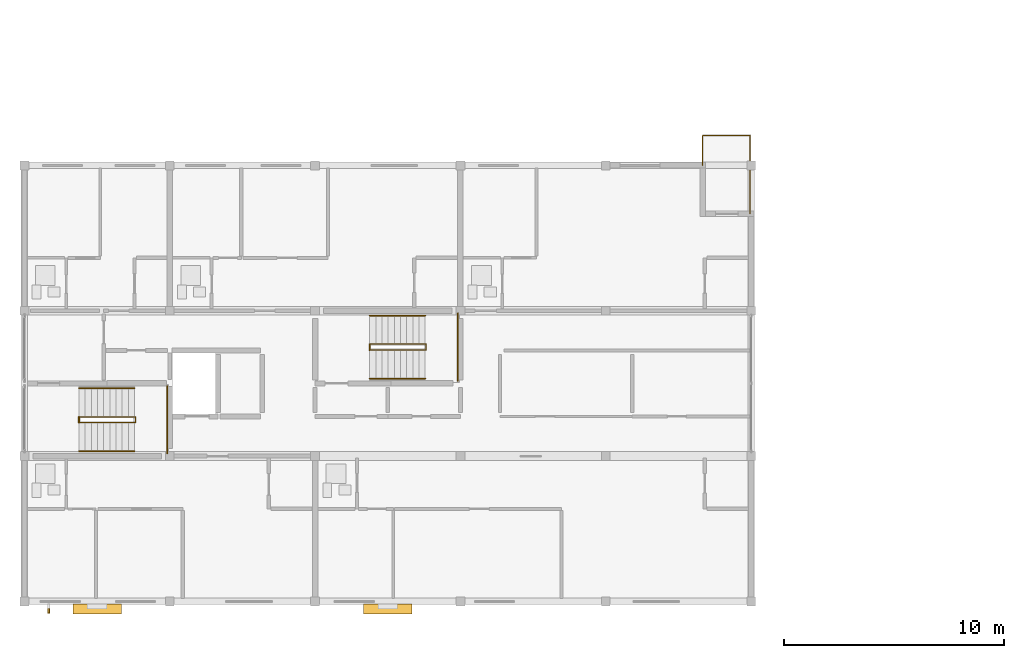
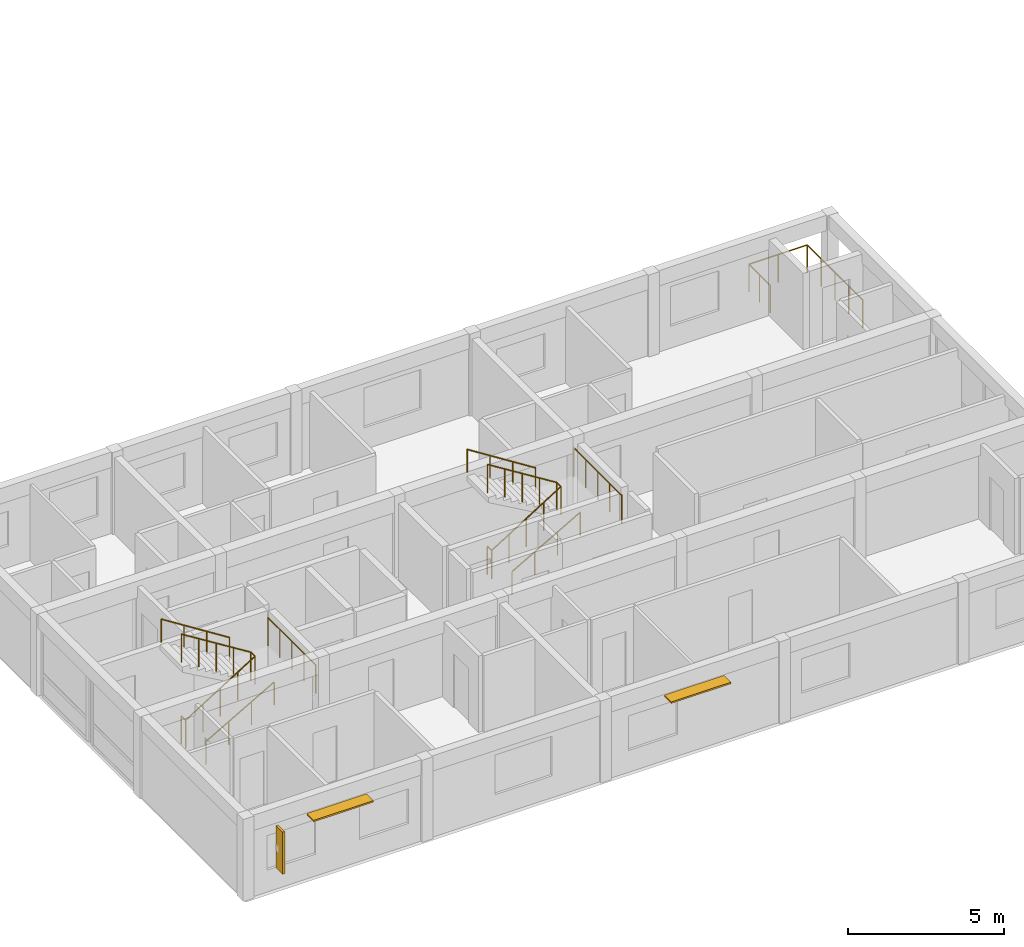
# One storey, part 13 of 15: 11 railings, 3 shading devices.
"""IFC4 building model written with IfcOpenShell, lengths in metres."""

import ifcopenshell
import ifcopenshell.guid

model = None  # the IFC model being written
_history = None  # IfcOwnerHistory: only IFC2X3 demands one
_inside = {}  # id of a spatial element -> (the spatial element, [elements in it])
_under = {}  # id of a project, library or spatial element -> (it, [spatial elements below it])
_declared = {}  # id of a project -> (the project, [libraries it declares])
_typed = {}  # id of a type object -> (the type object, [elements of that type])
_made_of = {}  # id of a material, layer set ... -> (it, [elements and type objects made of it])


def new_model(schema):
    """Start an empty IFC model of exactly this schema.

    Asked for "IFC4X3", IfcOpenShell would pick the latest addendum, in which some entities
    have other attributes; the version numbers below select the first issue.
    IFC2X3 requires an IfcOwnerHistory on every rooted entity: one is made here for all.
    """
    global model, _history
    if schema == "IFC4X3":
        model = ifcopenshell.file(schema_version=(4, 3, 0, 0))
    else:
        model = ifcopenshell.file(schema=schema)
    _inside.clear()
    _under.clear()
    _declared.clear()
    _typed.clear()
    _made_of.clear()
    _history = None
    if model.schema == "IFC2X3":
        org = make("IfcOrganization", Name="unknown")
        user = make(
            "IfcPersonAndOrganization",
            ThePerson=make("IfcPerson", FamilyName="unknown"),
            TheOrganization=org,
        )
        app = make(
            "IfcApplication",
            ApplicationDeveloper=org,
            Version="unknown",
            ApplicationFullName="unknown",
            ApplicationIdentifier="unknown",
        )
        _history = make(
            "IfcOwnerHistory",
            OwningUser=user,
            OwningApplication=app,
            ChangeAction="ADDED",
            CreationDate=0,
        )
    return model


def make(cls, **values):
    """One entity of the class cls with the attributes given. An attribute that is None is left unset."""
    return model.create_entity(
        cls, **{name: value for name, value in values.items() if value is not None}
    )


def rooted(cls, **values):
    """An entity with a GlobalId (a new one), such as an element, a storey or a relation."""
    return make(cls, GlobalId=ifcopenshell.guid.new(), OwnerHistory=_history, **values)


def si_unit(unit_type, name, prefix=None):
    """IfcSIUnit, for example si_unit("LENGTHUNIT", "METRE", prefix="MILLI")."""
    return make("IfcSIUnit", UnitType=unit_type, Prefix=prefix, Name=name)


def assignment(units):
    """IfcUnitAssignment: the units of a project."""
    return None if units is None else make("IfcUnitAssignment", Units=units)


def point(xyz):
    """IfcCartesianPoint."""
    return None if xyz is None else make("IfcCartesianPoint", Coordinates=xyz)


def direction(xyz):
    """IfcDirection."""
    return None if xyz is None else make("IfcDirection", DirectionRatios=xyz)


def frame(location, z_axis=None, x_axis=None):
    """IfcAxis2Placement3D, a coordinate frame: its origin and axes. An axis left out is left unset."""
    return make(
        "IfcAxis2Placement3D",
        Location=point(location),
        Axis=direction(z_axis),
        RefDirection=direction(x_axis),
    )


def frame_2d(location, x_axis=None):
    """IfcAxis2Placement2D, a coordinate frame in the plane: its origin and x axis."""
    return make(
        "IfcAxis2Placement2D", Location=point(location), RefDirection=direction(x_axis)
    )


def origin():
    """The frame at (0, 0, 0) with its axes left unset."""
    return frame((0.0, 0.0, 0.0))


def origin_2d():
    """The frame at (0, 0) in the plane with its x axis left unset."""
    return frame_2d((0.0, 0.0))


def place(relative_to, where):
    """IfcLocalPlacement: puts the frame where relative to a parent placement (None: the world)."""
    return make(
        "IfcLocalPlacement", PlacementRelTo=relative_to, RelativePlacement=where
    )


def context(
    kind, dimensions, precision=None, world=None, true_north=None, identifier=None
):
    """IfcGeometricRepresentationContext, for example the 3D "Model" context."""
    return make(
        "IfcGeometricRepresentationContext",
        ContextIdentifier=identifier,
        ContextType=kind,
        CoordinateSpaceDimension=dimensions,
        Precision=precision,
        WorldCoordinateSystem=world,
        TrueNorth=true_north,
    )


def subcontext(parent, identifier, kind, view, scale=None):
    """IfcGeometricRepresentationSubContext, for example "Body" below "Model"."""
    return make(
        "IfcGeometricRepresentationSubContext",
        ContextIdentifier=identifier,
        ContextType=kind,
        ParentContext=parent,
        TargetScale=scale,
        TargetView=view,
    )


def project(units=None, contexts=None):
    """IfcProject with its units and contexts."""
    return rooted(
        "IfcProject",
        Name="project",
        RepresentationContexts=contexts,
        UnitsInContext=assignment(units),
    )


def spatial(cls, under=None, at=None, **own):
    """A site, building, storey or space (cls), placed at a placement, below another one or the project."""
    s = rooted(cls, ObjectPlacement=at, **own)
    if under is not None:
        _under.setdefault(under.id(), (under, []))[1].append(s)
    return s


def profile(cls, at=None, kind="AREA", **sizes):
    """A parametric profile (cls). Its sizes go by their IFC names, for example OverallWidth=200.0."""
    return make(cls, ProfileType=kind, Position=at, **sizes)


def rectangle(**sizes):
    """IfcRectangleProfileDef."""
    return profile("IfcRectangleProfileDef", **sizes)


def circle(**sizes):
    """IfcCircleProfileDef."""
    return profile("IfcCircleProfileDef", **sizes)


def extrude(swept, where, along, depth):
    """IfcExtrudedAreaSolid: the profile swept, set in the frame where, extruded along a direction by depth."""
    return make(
        "IfcExtrudedAreaSolid",
        SweptArea=swept,
        Position=where,
        ExtrudedDirection=direction(along),
        Depth=depth,
    )


def shape(context_of_items, identifier, shape_type, items):
    """IfcShapeRepresentation: the items that make up one representation, for example the "Body"."""
    return make(
        "IfcShapeRepresentation",
        ContextOfItems=context_of_items,
        RepresentationIdentifier=identifier,
        RepresentationType=shape_type,
        Items=items,
    )


def material(Name=None, Category=None):
    """IfcMaterial."""
    return make("IfcMaterial", Name=Name, Category=Category)


def layer(
    of_material, thickness, ventilated=None, Name=None, Category=None, Priority=None
):
    """IfcMaterialLayer: one layer of a wall or slab, of a material (None: an air gap)."""
    return make(
        "IfcMaterialLayer",
        Material=of_material,
        LayerThickness=thickness,
        IsVentilated=ventilated,
        Name=Name,
        Category=Category,
        Priority=Priority,
    )


def layer_set(layers, Name=None):
    """IfcMaterialLayerSet."""
    return make("IfcMaterialLayerSet", MaterialLayers=layers, LayerSetName=Name)


def made_of(thing, what):
    """Note that an element or type object is made of a material, layer set ...; save() writes the relation."""
    if what is not None:
        _made_of.setdefault(what.id(), (what, []))[1].append(thing)
    return thing


def type_object(cls, material=None, **own):
    """A type object (cls), such as IfcWallType, which elements share."""
    return made_of(rooted(cls, **own), material)


def element(
    cls,
    number,
    at=None,
    inside=None,
    cuts=None,
    type_object=None,
    material=None,
    context=None,
    identifier="Body",
    shape_type=None,
    held_by="IfcProductDefinitionShape",
    body=None,
    shapes=None,
    **own,
):
    """One element of the class cls, such as IfcWall. Its Tag is "e" and its number.

    at: its placement. inside: the storey or other place that contains it. cuts: it is an
    opening in that element (IfcRelVoidsElement). A single representation is given by context,
    identifier, shape_type and body (its items); several are given by shapes. held_by: the class
    of the entity that holds the representations. save() writes the other relations.
    """
    e = rooted(cls, Tag="e%d" % number, ObjectPlacement=at, **own)
    if body is not None:
        shapes = [shape(context, identifier, shape_type, body)]
    if shapes is not None:
        e.Representation = make(held_by, Representations=shapes)
    if inside is not None:
        _inside.setdefault(inside.id(), (inside, []))[1].append(e)
    if cuts is not None:
        rooted(
            "IfcRelVoidsElement", RelatingBuildingElement=cuts, RelatedOpeningElement=e
        )
    if type_object is not None:
        _typed.setdefault(type_object.id(), (type_object, []))[1].append(e)
    return made_of(e, material)


def aggregate(whole, parts):
    """IfcRelAggregates: a whole, such as a stair, and the parts it consists of."""
    return rooted("IfcRelAggregates", RelatingObject=whole, RelatedObjects=parts)


def save(model, path):
    """Write the relations noted so far, then the file.

    IfcRelAggregates (storeys below a building ...), IfcRelContainedInSpatialStructure (elements
    in a storey), IfcRelDefinesByType, IfcRelAssociatesMaterial and IfcRelDeclares: one each for
    every whole, place, type object, material and project.
    """
    for whole, parts in _under.values():
        aggregate(whole, parts)
    for where, things in _inside.values():
        rooted(
            "IfcRelContainedInSpatialStructure",
            RelatedElements=things,
            RelatingStructure=where,
        )
    for kind, things in _typed.values():
        rooted("IfcRelDefinesByType", RelatedObjects=things, RelatingType=kind)
    for what, things in _made_of.values():
        rooted("IfcRelAssociatesMaterial", RelatedObjects=things, RelatingMaterial=what)
    for by, libraries in _declared.values():
        rooted("IfcRelDeclares", RelatingContext=by, RelatedDefinitions=libraries)
    model.write(path)


model = new_model("IFC4")

# Units and contexts
model_context = context("Model", 3, precision=1e-05, world=origin(), true_north=direction((0.0, 1.0)))
body_context = subcontext(model_context, "Body", "Model", "MODEL_VIEW")
ifc_project = project(units=[si_unit("LENGTHUNIT", "METRE"), si_unit("AREAUNIT", "SQUARE_METRE"), si_unit("VOLUMEUNIT", "CUBIC_METRE"), si_unit("PLANEANGLEUNIT", "RADIAN"), si_unit("MASSUNIT", "GRAM", prefix="KILO")], contexts=[model_context])

# Site, building, storey
site_placement = place(None, origin())
site = spatial("IfcSite", under=ifc_project, at=site_placement, CompositionType="ELEMENT")
building_placement = place(site_placement, origin())
building = spatial("IfcBuilding", under=site, at=building_placement, Name="Kernevlak Ridge Housing Community", CompositionType="ELEMENT")
storey_placement = place(building_placement, frame((0.0, 0.0, 50.0)))
storey = spatial("IfcBuildingStorey", under=building, at=storey_placement, Name="L15", CompositionType="ELEMENT", Elevation=50.0)

# Railings
ifc_material_1 = material(Name="Steel S355", Category="steel")
railing_type_1 = type_object("IfcRailingType", Name="BL-01", PredefinedType="BALUSTRADE", material=ifc_material_1)
railing_1_placement = place(storey_placement, frame((46.39990234375, 95.800048828125, 0.0)))
element("IfcRailing", 1, at=railing_1_placement, inside=storey, type_object=railing_type_1, Name="Block A L15 balcony balustrade BL-01 15", PredefinedType="BALUSTRADE", context=body_context, shape_type="SweptSolid", body=[
    extrude(circle(Radius=0.02392578125, at=origin_2d()), frame((0.0, 0.0, 1.076171875), z_axis=(0.0, 1.0, 0.0), x_axis=(-1.0, 0.0, 0.0)), (0.0, 0.0, 1.0), 1.349853515625),
    extrude(circle(Radius=0.02392578125, at=origin_2d()), frame((0.0, 1.349853515625, 1.076171875), z_axis=(1.0, 0.0, 0.0), x_axis=(0.0, 1.0, 0.0)), (0.0, 0.0, 1.0), 2.150146484375),
    extrude(circle(Radius=0.02392578125, at=origin_2d()), frame((2.150146484375, 1.349853515625, 1.076171875), z_axis=(0.0, -1.0, 0.0), x_axis=(1.0, 0.0, 0.0)), (0.0, 0.0, 1.0), 3.5498046875),
    extrude(circle(Radius=0.02099609375, at=origin_2d()), origin(), (0.0, 0.0, 1.0), 1.052001953125),
    extrude(circle(Radius=0.02099609375, at=origin_2d()), frame((0.0, 0.6748046875, 0.0)), (0.0, 0.0, 1.0), 1.052001953125),
    extrude(circle(Radius=0.02099609375, at=origin_2d()), frame((0.0, 1.349853515625, 0.0)), (0.0, 0.0, 1.0), 1.052001953125),
    extrude(circle(Radius=0.02099609375, at=origin_2d()), frame((1.0751953125, 1.349853515625, 0.0)), (0.0, 0.0, 1.0), 1.052001953125),
    extrude(circle(Radius=0.02099609375, at=origin_2d()), frame((2.150146484375, 1.349853515625, 0.0)), (0.0, 0.0, 1.0), 1.052001953125),
    extrude(circle(Radius=0.02099609375, at=origin_2d()), frame((2.150146484375, 0.46240234375, 0.0)), (0.0, 0.0, 1.0), 1.052001953125),
    extrude(circle(Radius=0.02099609375, at=origin_2d()), frame((2.150146484375, -0.425048828125, 0.0)), (0.0, 0.0, 1.0), 1.052001953125),
    extrude(circle(Radius=0.02099609375, at=origin_2d()), frame((2.150146484375, -1.3125, 0.0)), (0.0, 0.0, 1.0), 1.052001953125),
    extrude(circle(Radius=0.02099609375, at=origin_2d()), frame((2.150146484375, -2.199951171875, 0.0)), (0.0, 0.0, 1.0), 1.052001953125),
])
railing_type_2 = type_object("IfcRailingType", Name="GR-02", PredefinedType="GUARDRAIL", material=ifc_material_1)
railing_2_placement = place(storey_placement, frame((18.080078125, 84.110107421875, 0.0)))
element("IfcRailing", 2, at=railing_2_placement, inside=storey, type_object=railing_type_2, Name="Stair ST-A1 L15 well slot guard", PredefinedType="GUARDRAIL", context=body_context, shape_type="SweptSolid", body=[
    extrude(circle(Radius=0.02392578125, at=origin_2d()), frame((0.0, 0.0, 1.09619140625), z_axis=(0.0, 1.0, 0.0), x_axis=(-1.0, 0.0, 0.0)), (0.0, 0.0, 1.0), 0.27978515625),
    extrude(circle(Radius=0.02099609375, at=origin_2d()), origin(), (0.0, 0.0, 1.0), 1.072021484375),
    extrude(circle(Radius=0.02099609375, at=origin_2d()), frame((0.0, 0.27978515625, 0.0)), (0.0, 0.0, 1.0), 1.072021484375),
])
railing_3_placement = place(storey_placement, frame((18.080078125, 84.1201171875, 0.0)))
element("IfcRailing", 3, at=railing_3_placement, inside=storey, type_object=railing_type_2, Name="Stair ST-A1 L15 inner well guardrail", PredefinedType="GUARDRAIL", context=body_context, shape_type="SweptSolid", body=[
    extrude(circle(Radius=0.02392578125, at=origin_2d()), frame((0.0, 0.0, 1.09619140625), z_axis=(0.847966497998, 0.0, 0.530049826217), x_axis=(0.0, 1.0, 0.0)), (0.0, 0.0, 1.0), 3.018798828125),
    extrude(circle(Radius=0.02392578125, at=origin_2d()), frame((2.559814453125, 0.0, 2.6962890625), z_axis=(0.0, 1.0, 0.0), x_axis=(-1.0, 0.0, 0.0)), (0.0, 0.0, 1.0), 0.259765625),
    extrude(circle(Radius=0.02392578125, at=origin_2d()), frame((2.559814453125, 0.259765625, 2.6962890625), z_axis=(-0.848002847666, 0.0, 0.529991670077), x_axis=(0.0, -1.0, 0.0)), (0.0, 0.0, 1.0), 3.0185546875),
    extrude(circle(Radius=0.02099609375, at=origin_2d()), origin(), (0.0, 0.0, 1.0), 1.072021484375),
    extrude(circle(Radius=0.02099609375, at=origin_2d()), frame((0.639892578125, 0.0, 0.39990234375)), (0.0, 0.0, 1.0), 1.072021484375),
    extrude(circle(Radius=0.02099609375, at=origin_2d()), frame((1.27978515625, 0.0, 0.800048828125)), (0.0, 0.0, 1.0), 1.072021484375),
    extrude(circle(Radius=0.02099609375, at=origin_2d()), frame((1.919921875, 0.0, 1.2001953125)), (0.0, 0.0, 1.0), 1.072021484375),
    extrude(circle(Radius=0.02099609375, at=origin_2d()), frame((2.559814453125, 0.0, 1.60009765625)), (0.0, 0.0, 1.0), 1.072021484375),
    extrude(circle(Radius=0.02099609375, at=origin_2d()), frame((2.559814453125, 0.259765625, 1.60009765625)), (0.0, 0.0, 1.0), 1.072021484375),
    extrude(circle(Radius=0.02099609375, at=origin_2d()), frame((1.919921875, 0.259765625, 2.0)), (0.0, 0.0, 1.0), 1.072021484375),
    extrude(circle(Radius=0.02099609375, at=origin_2d()), frame((1.27978515625, 0.259765625, 2.39990234375)), (0.0, 0.0, 1.0), 1.072021484375),
    extrude(circle(Radius=0.02099609375, at=origin_2d()), frame((0.639892578125, 0.259765625, 2.800048828125)), (0.0, 0.0, 1.0), 1.072021484375),
    extrude(circle(Radius=0.02099609375, at=origin_2d()), frame((0.0, 0.259765625, 3.199951171875)), (0.0, 0.0, 1.0), 1.072021484375),
])
railing_4_placement = place(storey_placement, frame((22.080078125, 82.719970703125, 1.60009765625)))
element("IfcRailing", 4, at=railing_4_placement, inside=storey, type_object=railing_type_2, Name="Stair ST-A1 L15 half-landing guard", PredefinedType="GUARDRAIL", context=body_context, shape_type="SweptSolid", body=[
    extrude(circle(Radius=0.02392578125, at=origin_2d()), frame((0.0, 0.0, 1.09619140625), z_axis=(0.0, 1.0, 0.0), x_axis=(-1.0, 0.0, 0.0)), (0.0, 0.0, 1.0), 3.06005859375),
    extrude(circle(Radius=0.02099609375, at=origin_2d()), origin(), (0.0, 0.0, 1.0), 1.072021484375),
    extrude(circle(Radius=0.02099609375, at=origin_2d()), frame((0.0, 0.76513671875, 0.0)), (0.0, 0.0, 1.0), 1.072021484375),
    extrude(circle(Radius=0.02099609375, at=origin_2d()), frame((0.0, 1.530029296875, 0.0)), (0.0, 0.0, 1.0), 1.072021484375),
    extrude(circle(Radius=0.02099609375, at=origin_2d()), frame((0.0, 2.294921875, 0.0)), (0.0, 0.0, 1.0), 1.072021484375),
    extrude(circle(Radius=0.02099609375, at=origin_2d()), frame((0.0, 3.06005859375, 0.0)), (0.0, 0.0, 1.0), 1.072021484375),
])
railing_5_placement = place(storey_placement, frame((31.280029296875, 87.409912109375, 0.0)))
element("IfcRailing", 5, at=railing_5_placement, inside=storey, type_object=railing_type_2, Name="Stair ST-A2 L15 well slot guard", PredefinedType="GUARDRAIL", context=body_context, shape_type="SweptSolid", body=[
    extrude(circle(Radius=0.02392578125, at=origin_2d()), frame((0.0, 0.0, 1.09619140625), z_axis=(0.0, 1.0, 0.0), x_axis=(-1.0, 0.0, 0.0)), (0.0, 0.0, 1.0), 0.280029296875),
    extrude(circle(Radius=0.02099609375, at=origin_2d()), origin(), (0.0, 0.0, 1.0), 1.072021484375),
    extrude(circle(Radius=0.02099609375, at=origin_2d()), frame((0.0, 0.280029296875, 0.0)), (0.0, 0.0, 1.0), 1.072021484375),
])
railing_6_placement = place(storey_placement, frame((31.280029296875, 87.419921875, 0.0)))
element("IfcRailing", 6, at=railing_6_placement, inside=storey, type_object=railing_type_2, Name="Stair ST-A2 L15 inner well guardrail", PredefinedType="GUARDRAIL", context=body_context, shape_type="SweptSolid", body=[
    extrude(circle(Radius=0.02392578125, at=origin_2d()), frame((0.0, 0.0, 1.09619140625), z_axis=(0.847989217509, 0.0, 0.530013478119), x_axis=(0.0, 1.0, 0.0)), (0.0, 0.0, 1.0), 3.01904296875),
    extrude(circle(Radius=0.02392578125, at=origin_2d()), frame((2.56005859375, 0.0, 2.6962890625), z_axis=(0.0, 1.0, 0.0), x_axis=(-1.0, 0.0, 0.0)), (0.0, 0.0, 1.0), 0.260009765625),
    extrude(circle(Radius=0.02392578125, at=origin_2d()), frame((2.56005859375, 0.260009765625, 2.6962890625), z_axis=(-0.848025563165, 0.0, 0.529955322851), x_axis=(0.0, -1.0, 0.0)), (0.0, 0.0, 1.0), 3.018798828125),
    extrude(circle(Radius=0.02099609375, at=origin_2d()), origin(), (0.0, 0.0, 1.0), 1.072021484375),
    extrude(circle(Radius=0.02099609375, at=origin_2d()), frame((0.64013671875, 0.0, 0.39990234375)), (0.0, 0.0, 1.0), 1.072021484375),
    extrude(circle(Radius=0.02099609375, at=origin_2d()), frame((1.280029296875, 0.0, 0.800048828125)), (0.0, 0.0, 1.0), 1.072021484375),
    extrude(circle(Radius=0.02099609375, at=origin_2d()), frame((1.919921875, 0.0, 1.2001953125)), (0.0, 0.0, 1.0), 1.072021484375),
    extrude(circle(Radius=0.02099609375, at=origin_2d()), frame((2.56005859375, 0.0, 1.60009765625)), (0.0, 0.0, 1.0), 1.072021484375),
    extrude(circle(Radius=0.02099609375, at=origin_2d()), frame((2.56005859375, 0.260009765625, 1.60009765625)), (0.0, 0.0, 1.0), 1.072021484375),
    extrude(circle(Radius=0.02099609375, at=origin_2d()), frame((1.919921875, 0.260009765625, 2.0)), (0.0, 0.0, 1.0), 1.072021484375),
    extrude(circle(Radius=0.02099609375, at=origin_2d()), frame((1.280029296875, 0.260009765625, 2.39990234375)), (0.0, 0.0, 1.0), 1.072021484375),
    extrude(circle(Radius=0.02099609375, at=origin_2d()), frame((0.64013671875, 0.260009765625, 2.800048828125)), (0.0, 0.0, 1.0), 1.072021484375),
    extrude(circle(Radius=0.02099609375, at=origin_2d()), frame((0.0, 0.260009765625, 3.199951171875)), (0.0, 0.0, 1.0), 1.072021484375),
])
railing_7_placement = place(storey_placement, frame((35.280029296875, 86.02001953125, 1.60009765625)))
element("IfcRailing", 7, at=railing_7_placement, inside=storey, type_object=railing_type_2, Name="Stair ST-A2 L15 half-landing guard", PredefinedType="GUARDRAIL", context=body_context, shape_type="SweptSolid", body=[
    extrude(circle(Radius=0.02392578125, at=origin_2d()), frame((0.0, 0.0, 1.09619140625), z_axis=(0.0, 1.0, 0.0), x_axis=(-1.0, 0.0, 0.0)), (0.0, 0.0, 1.0), 3.06005859375),
    extrude(circle(Radius=0.02099609375, at=origin_2d()), origin(), (0.0, 0.0, 1.0), 1.072021484375),
    extrude(circle(Radius=0.02099609375, at=origin_2d()), frame((0.0, 0.76513671875, 0.0)), (0.0, 0.0, 1.0), 1.072021484375),
    extrude(circle(Radius=0.02099609375, at=origin_2d()), frame((0.0, 1.530029296875, 0.0)), (0.0, 0.0, 1.0), 1.072021484375),
    extrude(circle(Radius=0.02099609375, at=origin_2d()), frame((0.0, 2.294921875, 0.0)), (0.0, 0.0, 1.0), 1.072021484375),
    extrude(circle(Radius=0.02099609375, at=origin_2d()), frame((0.0, 3.06005859375, 0.0)), (0.0, 0.0, 1.0), 1.072021484375),
])
ifc_material_2 = material(Name="Stainless steel EN 1.4401", Category="steel")
railing_type_3 = type_object("IfcRailingType", Name="HR-01", PredefinedType="HANDRAIL", material=ifc_material_2)
railing_8_placement = place(storey_placement, frame((18.080078125, 82.820068359375, 0.159912109375)))
element("IfcRailing", 8, at=railing_8_placement, inside=storey, type_object=railing_type_3, Name="Stair ST-A1 L15 flight 1 handrail", PredefinedType="HANDRAIL", context=body_context, shape_type="SweptSolid", body=[
    extrude(circle(Radius=0.02392578125, at=origin_2d()), frame((0.0, 0.0, 0.89599609375), z_axis=(0.868217259934, 0.0, 0.496184229447), x_axis=(0.0, 1.0, 0.0)), (0.0, 0.0, 1.0), 2.902587890625),
    extrude(circle(Radius=0.02099609375, at=origin_2d()), origin(), (0.0, 0.0, 1.0), 0.871826171875),
    extrude(circle(Radius=0.02099609375, at=origin_2d()), frame((0.840087890625, 0.0, 0.47998046875)), (0.0, 0.0, 1.0), 0.871826171875),
    extrude(circle(Radius=0.02099609375, at=origin_2d()), frame((1.679931640625, 0.0, 0.960205078125)), (0.0, 0.0, 1.0), 0.871826171875),
    extrude(circle(Radius=0.02099609375, at=origin_2d()), frame((2.52001953125, 0.0, 1.440185546875)), (0.0, 0.0, 1.0), 0.871826171875),
])
railing_9_placement = place(storey_placement, frame((20.60009765625, 85.679931640625, 1.60009765625)))
element("IfcRailing", 9, at=railing_9_placement, inside=storey, type_object=railing_type_3, Name="Stair ST-A1 L15 flight 2 handrail", PredefinedType="HANDRAIL", context=body_context, shape_type="SweptSolid", body=[
    extrude(circle(Radius=0.02392578125, at=origin_2d()), frame((0.0, 0.0, 0.89599609375), z_axis=(-0.84423690053, 0.0, 0.535970200462), x_axis=(0.0, -1.0, 0.0)), (0.0, 0.0, 1.0), 2.98486328125),
    extrude(circle(Radius=0.02099609375, at=origin_2d()), origin(), (0.0, 0.0, 1.0), 0.871826171875),
    extrude(circle(Radius=0.02099609375, at=origin_2d()), frame((-0.840087890625, 0.0, 0.533203125)), (0.0, 0.0, 1.0), 0.871826171875),
    extrude(circle(Radius=0.02099609375, at=origin_2d()), frame((-1.679931640625, 0.0, 1.066650390625)), (0.0, 0.0, 1.0), 0.871826171875),
    extrude(circle(Radius=0.02099609375, at=origin_2d()), frame((-2.52001953125, 0.0, 1.599853515625)), (0.0, 0.0, 1.0), 0.871826171875),
])
railing_10_placement = place(storey_placement, frame((31.280029296875, 86.1201171875, 0.159912109375)))
element("IfcRailing", 10, at=railing_10_placement, inside=storey, type_object=railing_type_3, Name="Stair ST-A2 L15 flight 1 handrail", PredefinedType="HANDRAIL", context=body_context, shape_type="SweptSolid", body=[
    extrude(circle(Radius=0.02392578125, at=origin_2d()), frame((0.0, 0.0, 0.89599609375), z_axis=(0.868217259934, 0.0, 0.496184229447), x_axis=(0.0, 1.0, 0.0)), (0.0, 0.0, 1.0), 2.902587890625),
    extrude(circle(Radius=0.02099609375, at=origin_2d()), origin(), (0.0, 0.0, 1.0), 0.871826171875),
    extrude(circle(Radius=0.02099609375, at=origin_2d()), frame((0.840087890625, 0.0, 0.47998046875)), (0.0, 0.0, 1.0), 0.871826171875),
    extrude(circle(Radius=0.02099609375, at=origin_2d()), frame((1.679931640625, 0.0, 0.960205078125)), (0.0, 0.0, 1.0), 0.871826171875),
    extrude(circle(Radius=0.02099609375, at=origin_2d()), frame((2.52001953125, 0.0, 1.440185546875)), (0.0, 0.0, 1.0), 0.871826171875),
])
railing_11_placement = place(storey_placement, frame((33.800048828125, 88.97998046875, 1.60009765625)))
element("IfcRailing", 11, at=railing_11_placement, inside=storey, type_object=railing_type_3, Name="Stair ST-A2 L15 flight 2 handrail", PredefinedType="HANDRAIL", context=body_context, shape_type="SweptSolid", body=[
    extrude(circle(Radius=0.02392578125, at=origin_2d()), frame((0.0, 0.0, 0.89599609375), z_axis=(-0.84423690053, 0.0, 0.535970200462), x_axis=(0.0, -1.0, 0.0)), (0.0, 0.0, 1.0), 2.98486328125),
    extrude(circle(Radius=0.02099609375, at=origin_2d()), origin(), (0.0, 0.0, 1.0), 0.871826171875),
    extrude(circle(Radius=0.02099609375, at=origin_2d()), frame((-0.840087890625, 0.0, 0.533203125)), (0.0, 0.0, 1.0), 0.871826171875),
    extrude(circle(Radius=0.02099609375, at=origin_2d()), frame((-1.679931640625, 0.0, 1.066650390625)), (0.0, 0.0, 1.0), 0.871826171875),
    extrude(circle(Radius=0.02099609375, at=origin_2d()), frame((-2.52001953125, 0.0, 1.599853515625)), (0.0, 0.0, 1.0), 0.871826171875),
])

# Shading devices
ifc_material_3 = material(Name="Aluminium EN AW-6060 anodised", Category="aluminium")
ifc_layer = layer(ifc_material_3, 0.06005859375, Name="Aluminium EN AW-6060 anodised")
ifc_layer_set = layer_set([ifc_layer], Name="Aluminium EN AW-6060 anodised")
shading_device_type_1 = type_object("IfcShadingDeviceType", Name="LV-01", PredefinedType="JALOUSIE", material=ifc_layer_set)
for number, where, z_axis, x_axis, name in (
    (12, (18.89990234375, 75.659912109375, 2.489990234375), (0.0, 0.0, 1.0), (1.0, 0.0, 0.0), "Horizontal solar louvre 13"),
    (13, (32.10009765625, 75.659912109375, 2.489990234375), (0.0, 0.0, 1.0), (1.0, 0.0, 0.0), "Horizontal solar louvre 14"),
):
    element("IfcShadingDevice", number, at=place(storey_placement, frame(where, z_axis=z_axis, x_axis=x_axis)), inside=storey, type_object=shading_device_type_1, Name=name, PredefinedType="JALOUSIE", context=body_context, shape_type="SweptSolid", body=[
        extrude(rectangle(XDim=2.199951171875, YDim=0.43994140625, at=origin_2d()), origin(), (0.0, 0.0, 1.0), 0.06005859375),
    ])
ifc_material_4 = material(Name="Aluminium EN AW-6060 enamelled", Category="aluminium")
shading_device_type_2 = type_object("IfcShadingDeviceType", Name="LV-02", PredefinedType="USERDEFINED", material=ifc_material_4)
shading_device_placement = place(storey_placement, frame((16.699951171875, 75.669921875, 0.824951171875), z_axis=(0.0, 0.0, 1.0), x_axis=(1.0, 0.0, 0.0)))
element("IfcShadingDevice", 14, at=shading_device_placement, inside=storey, type_object=shading_device_type_2, Name="De Stijl yellow vertical solar fin 13", ObjectType="LOUVRE", PredefinedType="USERDEFINED", context=body_context, shape_type="SweptSolid", body=[
    extrude(rectangle(XDim=0.080078125, YDim=0.419921875, at=origin_2d()), origin(), (0.0, 0.0, 1.0), 1.64990234375),
])

save(model, "model.ifc")
